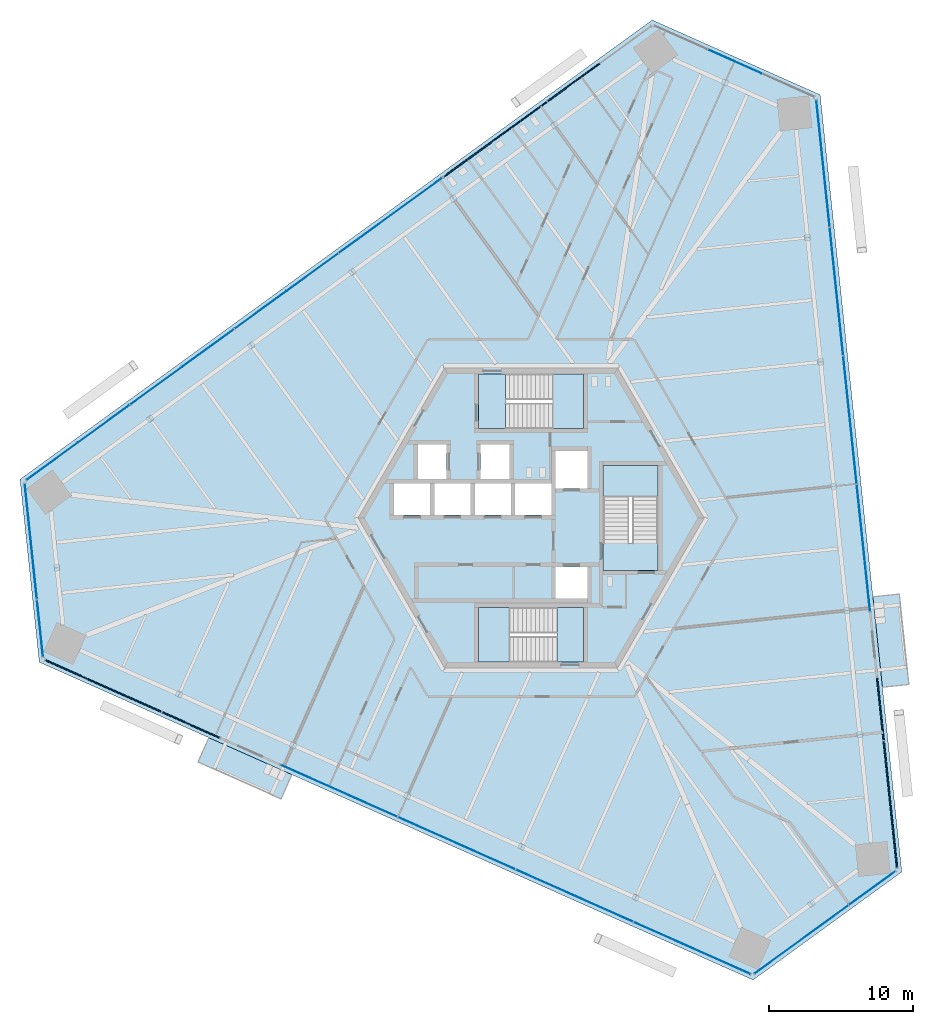
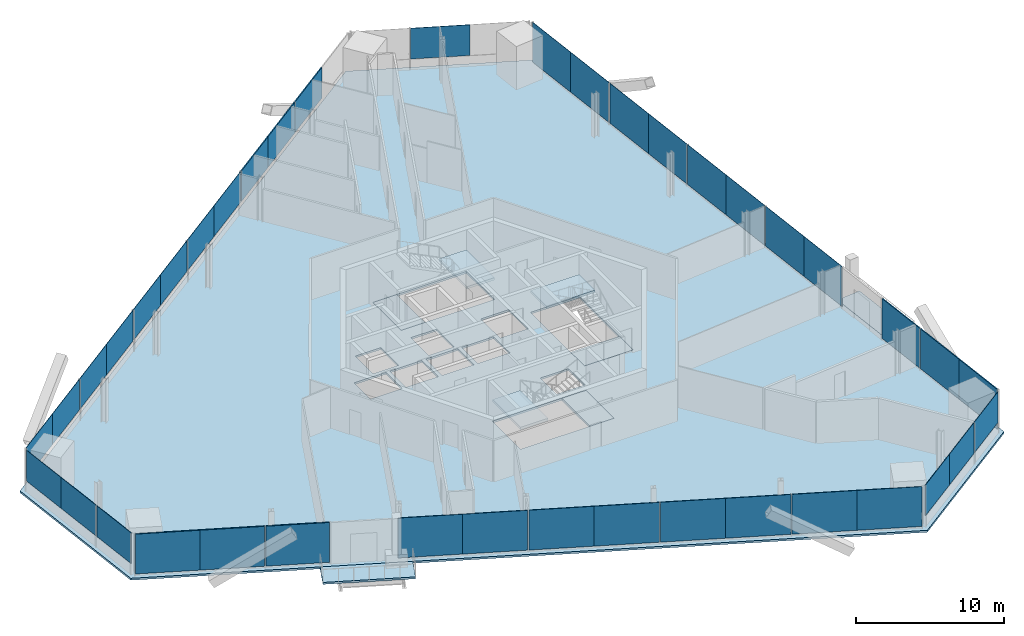
# One storey, part 9 of 17: 40 plates, 9 slabs, 12 elements without a shape of their own.
"""IFC4 building model written with IfcOpenShell, lengths in metres."""

from ifc_helpers import new_model, si_unit, direction, frame, origin, origin_2d, place, context, subcontext, project, spatial, polyline, rectangle, outline, extrude, source, transform, mapped, material, layer, layer_set, type_object, element, aggregate, save


model = new_model("IFC4")

# Units and contexts
model_context = context("Model", 3, precision=1e-05, world=origin(), true_north=direction((0.0, 1.0)))
body_context = subcontext(model_context, "Body", "Model", "MODEL_VIEW")
ifc_project = project(units=[si_unit("LENGTHUNIT", "METRE"), si_unit("AREAUNIT", "SQUARE_METRE"), si_unit("VOLUMEUNIT", "CUBIC_METRE"), si_unit("PLANEANGLEUNIT", "RADIAN"), si_unit("MASSUNIT", "GRAM", prefix="KILO")], contexts=[model_context])

# Site, building, storey
site_placement = place(None, origin())
site = spatial("IfcSite", under=ifc_project, at=site_placement, CompositionType="ELEMENT")
building_placement = place(site_placement, origin())
building = spatial("IfcBuilding", under=site, at=building_placement, Name="Triune Harvest Tower", CompositionType="ELEMENT")
storey_placement = place(building_placement, frame((0.0, 0.0, 62.10009765625)))
storey = spatial("IfcBuildingStorey", under=building, at=storey_placement, Name="L14", CompositionType="ELEMENT", Elevation=62.10009765625)

# Slabs
ifc_material_1 = material(Name="Concrete 40 MPa", Category="concrete")
ifc_layer_1 = layer(ifc_material_1, 0.159912109375)
ifc_layer_set_1 = layer_set([ifc_layer_1], Name="Concrete 40 MPa")
slab_type_1 = type_object("IfcSlabType", Name="BA-1 balcony slab 160", PredefinedType="FLOOR", material=ifc_layer_set_1)
slab_1_placement = place(storey_placement, frame((0.0, 0.0, -0.16015625)))
element("IfcSlab", 1, at=slab_1_placement, inside=storey, type_object=slab_type_1, Name="Balcony slab B2-F1 L14.4", PredefinedType="FLOOR", context=body_context, shape_type="SweptSolid", body=[
    extrude(outline(polyline([(24.357421875, -11.732177734375), (23.69873046875, -5.46484375), (25.533447265625, -5.272216796875), (26.192138671875, -11.539306640625), (24.357421875, -11.732177734375)])), origin(), (0.0, 0.0, 1.0), 0.16015625),
])
slab_2_placement = place(storey_placement, frame((0.0, 0.0, -0.16015625)))
element("IfcSlab", 2, at=slab_2_placement, inside=storey, type_object=slab_type_1, Name="Balcony slab B2-F5 L14.4", PredefinedType="FLOOR", context=body_context, shape_type="SweptSolid", body=[
    extrude(outline(polyline([(-22.339111328125, -15.228271484375), (-16.582275390625, -17.791259765625), (-17.33251953125, -19.4765625), (-23.08935546875, -16.913330078125), (-22.339111328125, -15.228271484375)])), origin(), (0.0, 0.0, 1.0), 0.16015625),
])
ifc_material_2 = material(Name="Concrete 40 MPa", Category="concrete")
ifc_layer_2 = layer(ifc_material_2, 0.159912109375)
ifc_layer_set_2 = layer_set([ifc_layer_2], Name="Concrete 40 MPa")
slab_type_2 = type_object("IfcSlabType", Name="SL-1 Composite floor slab 160", PredefinedType="FLOOR", material=ifc_layer_set_2)
shared_shape_1 = source(origin(), body_context, "Body", "SweptSolid", [
    extrude(outline(polyline([(25.703125, -24.534423828125), (20.04052734375, 29.34228515625), (8.395751953125, 34.526611328125), (-35.431396484375, 2.6845703125), (-34.098876953125, -9.992431640625), (15.390869140625, -32.026611328125), (25.703125, -24.534423828125)]), holes=[polyline([(-7.0, 0.2099609375), (-7.0, 2.409912109375), (-9.5, 2.409912109375), (-9.5, 0.2099609375), (-7.0, 0.2099609375)]), polyline([(-4.199951171875, 0.2099609375), (-4.199951171875, 2.409912109375), (-6.699951171875, 2.409912109375), (-6.699951171875, 0.2099609375), (-4.199951171875, 0.2099609375)]), polyline([(-1.39990234375, 0.2099609375), (-1.39990234375, 2.409912109375), (-3.89990234375, 2.409912109375), (-3.89990234375, 0.2099609375), (-1.39990234375, 0.2099609375)]), polyline([(1.39990234375, 0.2099609375), (1.39990234375, 2.409912109375), (-1.10009765625, 2.409912109375), (-1.10009765625, 0.2099609375), (1.39990234375, 0.2099609375)]), polyline([(3.89990234375, 2.06005859375), (3.89990234375, 4.659912109375), (1.699951171875, 4.659912109375), (1.699951171875, 2.06005859375), (3.89990234375, 2.06005859375)]), polyline([(3.89990234375, -5.590087890625), (3.89990234375, -3.389892578125), (1.699951171875, -3.389892578125), (1.699951171875, -5.590087890625), (3.89990234375, -5.590087890625)]), polyline([(-5.85009765625, 2.7099609375), (-5.85009765625, 5.110107421875), (-7.85009765625, 5.110107421875), (-7.85009765625, 2.7099609375), (-5.85009765625, 2.7099609375)]), polyline([(-1.5, 2.7099609375), (-1.5, 5.110107421875), (-3.5, 5.110107421875), (-3.5, 2.7099609375), (-1.5, 2.7099609375)]), polyline([(3.64990234375, 6.18994140625), (3.64990234375, 9.989990234375), (-3.64990234375, 9.989990234375), (-3.64990234375, 6.18994140625), (3.64990234375, 6.18994140625)]), polyline([(3.64990234375, -9.989990234375), (3.64990234375, -6.18994140625), (-3.64990234375, -6.18994140625), (-3.64990234375, -9.989990234375), (3.64990234375, -9.989990234375)]), polyline([(8.800048828125, -3.64990234375), (8.800048828125, 3.64990234375), (5.0, 3.64990234375), (5.0, -3.64990234375), (8.800048828125, -3.64990234375)])]), origin(), (0.0, 0.0, 1.0), 0.16015625),
])
slab_3_placement = place(storey_placement, frame((0.0, 0.0, -0.16015625)))
element("IfcSlab", 3, at=slab_3_placement, inside=storey, type_object=slab_type_2, Name="slab/L14/1", PredefinedType="FLOOR", context=body_context, shape_type="MappedRepresentation", body=[
    mapped(shared_shape_1, transform((0.0, 0.0, 0.0), scale=1.0)),
])

# Stair, slabs
ifc_material_3 = material(Name="Concrete 40 MPa", Category="concrete")
stair_type = type_object("IfcStairType", Name="Exit stair 1800 half turn", PredefinedType="HALF_TURN_STAIR", material=ifc_material_3)
stair_1_placement = place(storey_placement, origin())
stair_1 = element("IfcStair", 4, at=stair_1_placement, inside=storey, type_object=stair_type, Name="Exit stair north", PredefinedType="HALF_TURN_STAIR")
ifc_material_4 = material(Name="Concrete 40 MPa", Category="concrete")
ifc_layer_3 = layer(ifc_material_4, 0.199951171875)
ifc_layer_set_3 = layer_set([ifc_layer_3], Name="Concrete 40 MPa")
slab_type_3 = type_object("IfcSlabType", Name="Stair landing 200", PredefinedType="LANDING", material=ifc_layer_set_3)
shared_shape_2 = source(origin(), body_context, "Body", "SweptSolid", [
    extrude(outline(polyline([(1.510009765625, 6.18994140625), (3.64990234375, 6.18994140625), (3.64990234375, 9.989990234375), (1.510009765625, 9.989990234375), (1.510009765625, 6.18994140625)])), origin(), (0.0, 0.0, 1.0), 0.199951171875),
])
slab_4_placement = place(storey_placement, frame((0.0, 0.0, 1.599853515625)))
slab_4 = element("IfcSlab", 5, at=slab_4_placement, type_object=slab_type_3, Name="ST-1 landing 2", PredefinedType="LANDING", context=body_context, shape_type="MappedRepresentation", body=[
    mapped(shared_shape_2, transform((0.0, 0.0, 0.0), scale=1.0)),
])
shared_shape_3 = source(origin(), body_context, "Body", "SweptSolid", [
    extrude(outline(polyline([(-3.64990234375, 6.18994140625), (-1.780029296875, 6.18994140625), (-1.780029296875, 9.989990234375), (-3.64990234375, 9.989990234375), (-3.64990234375, 6.18994140625)])), origin(), (0.0, 0.0, 1.0), 0.2001953125),
])
slab_5_placement = place(storey_placement, frame((0.0, 0.0, -0.2001953125)))
slab_5 = element("IfcSlab", 6, at=slab_5_placement, type_object=slab_type_3, Name="ST-1 landing 1", PredefinedType="LANDING", context=body_context, shape_type="MappedRepresentation", body=[
    mapped(shared_shape_3, transform((0.0, 0.0, 0.0), scale=1.0)),
])
aggregate(stair_1, [slab_5, slab_4])

stair_2_placement = place(storey_placement, origin())
stair_2 = element("IfcStair", 7, at=stair_2_placement, inside=storey, type_object=stair_type, Name="Exit stair south", PredefinedType="HALF_TURN_STAIR")
shared_shape_4 = source(origin(), body_context, "Body", "SweptSolid", [
    extrude(outline(polyline([(-1.510009765625, -6.18994140625), (-3.64990234375, -6.18994140625), (-3.64990234375, -9.989990234375), (-1.510009765625, -9.989990234375), (-1.510009765625, -6.18994140625)])), origin(), (0.0, 0.0, 1.0), 0.199951171875),
])
slab_6_placement = place(storey_placement, frame((0.0, 0.0, 1.599853515625)))
slab_6 = element("IfcSlab", 8, at=slab_6_placement, type_object=slab_type_3, Name="ST-2 landing 2", PredefinedType="LANDING", context=body_context, shape_type="MappedRepresentation", body=[
    mapped(shared_shape_4, transform((0.0, 0.0, 0.0), scale=1.0)),
])
shared_shape_5 = source(origin(), body_context, "Body", "SweptSolid", [
    extrude(outline(polyline([(3.64990234375, -6.18994140625), (1.780029296875, -6.18994140625), (1.780029296875, -9.989990234375), (3.64990234375, -9.989990234375), (3.64990234375, -6.18994140625)])), origin(), (0.0, 0.0, 1.0), 0.2001953125),
])
slab_7_placement = place(storey_placement, frame((0.0, 0.0, -0.2001953125)))
slab_7 = element("IfcSlab", 9, at=slab_7_placement, type_object=slab_type_3, Name="ST-2 landing 1", PredefinedType="LANDING", context=body_context, shape_type="MappedRepresentation", body=[
    mapped(shared_shape_5, transform((0.0, 0.0, 0.0), scale=1.0)),
])
aggregate(stair_2, [slab_7, slab_6])

stair_3_placement = place(storey_placement, origin())
stair_3 = element("IfcStair", 10, at=stair_3_placement, inside=storey, type_object=stair_type, Name="Exit stair east", PredefinedType="HALF_TURN_STAIR")
shared_shape_6 = source(origin(), body_context, "Body", "SweptSolid", [
    extrude(outline(polyline([(8.800048828125, 1.510009765625), (8.800048828125, 3.64990234375), (5.0, 3.64990234375), (5.0, 1.510009765625), (8.800048828125, 1.510009765625)])), origin(), (0.0, 0.0, 1.0), 0.199951171875),
])
slab_8_placement = place(storey_placement, frame((0.0, 0.0, 1.599853515625)))
slab_8 = element("IfcSlab", 11, at=slab_8_placement, type_object=slab_type_3, Name="ST-3 landing 2", PredefinedType="LANDING", context=body_context, shape_type="MappedRepresentation", body=[
    mapped(shared_shape_6, transform((0.0, 0.0, 0.0), scale=1.0)),
])
shared_shape_7 = source(origin(), body_context, "Body", "SweptSolid", [
    extrude(outline(polyline([(8.800048828125, -3.64990234375), (8.800048828125, -1.780029296875), (5.0, -1.780029296875), (5.0, -3.64990234375), (8.800048828125, -3.64990234375)])), origin(), (0.0, 0.0, 1.0), 0.2001953125),
])
slab_9_placement = place(storey_placement, frame((0.0, 0.0, -0.2001953125)))
slab_9 = element("IfcSlab", 12, at=slab_9_placement, type_object=slab_type_3, Name="ST-3 landing 1", PredefinedType="LANDING", context=body_context, shape_type="MappedRepresentation", body=[
    mapped(shared_shape_7, transform((0.0, 0.0, 0.0), scale=1.0)),
])
aggregate(stair_3, [slab_9, slab_8])

# Curtain wall, plate
ifc_material_5 = material(Name="Aluminium bronze anodised", Category="aluminium")
curtain_wall_type_1 = type_object("IfcCurtainWallType", Name="CW-1 Tower stick curtain wall", PredefinedType="NOTDEFINED", material=ifc_material_5)
curtain_wall_1_placement = place(storey_placement, origin())
curtain_wall_1 = element("IfcCurtainWall", 13, at=curtain_wall_1_placement, inside=storey, type_object=curtain_wall_type_1, Name="CW-1 B2-F4 L14 run 1")
ifc_material_6 = material(Name="Glass", Category="glass")
ifc_layer_4 = layer(ifc_material_6, 0.031982421875)
ifc_layer_set_4 = layer_set([ifc_layer_4], Name="Glass")
plate_type_1 = type_object("IfcPlateType", Name="GL-1 panel 32", PredefinedType="CURTAIN_PANEL", material=ifc_layer_set_4)
shared_shape_8 = source(origin(), body_context, "Body", "SweptSolid", [
    extrude(rectangle(XDim=3.99853515625, YDim=0.031982421875, at=origin_2d()), origin(), (0.0, 0.0, 1.0), 2.5400390625),
])
plate_1_placement = place(storey_placement, frame((-34.888671875, 0.39111328125, 0.89990234375), z_axis=(0.0, 0.0, 1.0), x_axis=(0.104529462601, -0.994521790334, 0.0)))
plate_1 = element("IfcPlate", 14, at=plate_1_placement, type_object=plate_type_1, Name="CW-1 panel B2-F4 1.1", PredefinedType="CURTAIN_PANEL", context=body_context, shape_type="MappedRepresentation", body=[
    mapped(shared_shape_8, transform((0.0, 0.0, 0.0), scale=1.0)),
])

curtain_wall_2_placement = place(storey_placement, origin())
curtain_wall_2 = element("IfcCurtainWall", 15, at=curtain_wall_2_placement, inside=storey, type_object=curtain_wall_type_1, Name="CW-1 B2-F2 L14 run 1")
shared_shape_9 = source(origin(), body_context, "Body", "SweptSolid", [
    extrude(rectangle(XDim=4.035888671875, YDim=0.031982421875, at=origin_2d()), origin(), (0.0, 0.0, 1.0), 2.5400390625),
])
plate_2_placement = place(storey_placement, frame((14.11328125, 31.65283203125, 0.89990234375), z_axis=(0.0, 0.0, 1.0), x_axis=(-0.913546644034, 0.406733978386, 0.0)))
plate_2 = element("IfcPlate", 16, at=plate_2_placement, type_object=plate_type_1, Name="CW-1 panel B2-F2 1.2", PredefinedType="CURTAIN_PANEL", context=body_context, shape_type="MappedRepresentation", body=[
    mapped(shared_shape_9, transform((0.0, 0.0, 0.0), scale=1.0)),
])
aggregate(curtain_wall_2, [plate_2])

# Plate
plate_3_placement = place(storey_placement, frame((-34.46875, -3.60400390625, 0.89990234375), z_axis=(0.0, 0.0, 1.0), x_axis=(0.104529462601, -0.994521790334, 0.0)))
plate_3 = element("IfcPlate", 17, at=plate_3_placement, type_object=plate_type_1, Name="CW-1 panel B2-F4 1.2", PredefinedType="CURTAIN_PANEL", context=body_context, shape_type="MappedRepresentation", body=[
    mapped(shared_shape_9, transform((0.0, 0.0, 0.0), scale=1.0)),
])

# Curtain wall, plate
curtain_wall_3_placement = place(storey_placement, origin())
curtain_wall_3 = element("IfcCurtainWall", 18, at=curtain_wall_3_placement, inside=storey, type_object=curtain_wall_type_1, Name="CW-1 B2-F6 L14 run 1")
plate_4_placement = place(storey_placement, frame((20.35546875, -28.048828125, 0.89990234375), z_axis=(0.0, 0.0, 1.0), x_axis=(0.809013235692, 0.58779042564, 0.0)))
plate_4 = element("IfcPlate", 19, at=plate_4_placement, type_object=plate_type_1, Name="CW-1 panel B2-F6 1.2", PredefinedType="CURTAIN_PANEL", context=body_context, shape_type="MappedRepresentation", body=[
    mapped(shared_shape_9, transform((0.0, 0.0, 0.0), scale=1.0)),
])

# Plate
shared_shape_10 = source(origin(), body_context, "Body", "SweptSolid", [
    extrude(rectangle(XDim=3.9609375, YDim=0.031982421875, at=origin_2d()), origin(), (0.0, 0.0, 1.0), 2.5400390625),
])
plate_5_placement = place(storey_placement, frame((-34.04296875, -7.655029296875, 0.89990234375), z_axis=(0.0, 0.0, 1.0), x_axis=(0.104529462601, -0.994521790334, 0.0)))
plate_5 = element("IfcPlate", 20, at=plate_5_placement, type_object=plate_type_1, Name="CW-1 panel B2-F4 1.3", PredefinedType="CURTAIN_PANEL", context=body_context, shape_type="MappedRepresentation", body=[
    mapped(shared_shape_10, transform((0.0, 0.0, 0.0), scale=1.0)),
])

aggregate(curtain_wall_1, [plate_1, plate_3, plate_5])

plate_6_placement = place(storey_placement, frame((23.65087890625, -25.654541015625, 0.89990234375), z_axis=(0.0, 0.0, 1.0), x_axis=(0.809013235692, 0.58779042564, 0.0)))
plate_6 = element("IfcPlate", 21, at=plate_6_placement, type_object=plate_type_1, Name="CW-1 panel B2-F6 1.3", PredefinedType="CURTAIN_PANEL", context=body_context, shape_type="MappedRepresentation", body=[
    mapped(shared_shape_10, transform((0.0, 0.0, 0.0), scale=1.0)),
])

shared_shape_11 = source(origin(), body_context, "Body", "SweptSolid", [
    extrude(rectangle(XDim=3.998291015625, YDim=0.031982421875, at=origin_2d()), origin(), (0.0, 0.0, 1.0), 2.5400390625),
])
plate_7_placement = place(storey_placement, frame((17.10546875, -30.41015625, 0.89990234375), z_axis=(0.0, 0.0, 1.0), x_axis=(0.809013235692, 0.58779042564, 0.0)))
plate_7 = element("IfcPlate", 22, at=plate_7_placement, type_object=plate_type_1, Name="CW-1 panel B2-F6 1.1", PredefinedType="CURTAIN_PANEL", context=body_context, shape_type="MappedRepresentation", body=[
    mapped(shared_shape_11, transform((0.0, 0.0, 0.0), scale=1.0)),
])

aggregate(curtain_wall_3, [plate_7, plate_4, plate_6])

# Curtain wall, plate
ifc_material_7 = material(Name="Aluminium bronze anodised", Category="aluminium")
curtain_wall_type_2 = type_object("IfcCurtainWallType", Name="CW-10 Balcony window wall with insulated spandrel infill", PredefinedType="NOTDEFINED", material=ifc_material_7)
curtain_wall_4_placement = place(storey_placement, origin())
curtain_wall_4 = element("IfcCurtainWall", 23, at=curtain_wall_4_placement, inside=storey, type_object=curtain_wall_type_2, Name="CW-10 B2-F1 L14 run 1")
ifc_material_8 = material(Name="Insulated spandrel panel, bronze aluminium pan", Category="aluminium")
ifc_layer_5 = layer(ifc_material_8, 0.080078125)
ifc_layer_set_5 = layer_set([ifc_layer_5], Name="Insulated spandrel panel, bronze aluminium pan")
plate_type_2 = type_object("IfcPlateType", Name="SP-1 insulated spandrel panel 80", PredefinedType="CURTAIN_PANEL", material=ifc_layer_set_5)
shared_shape_12 = source(origin(), body_context, "Body", "SweptSolid", [
    extrude(rectangle(XDim=4.380615234375, YDim=0.080078125, at=origin_2d()), origin(), (0.0, 0.0, 1.0), 3.2900390625),
])
plate_8_placement = place(storey_placement, frame((25.140380859375, -22.051025390625, 0.14990234375), z_axis=(0.0, 0.0, 1.0), x_axis=(-0.104527536558, 0.994521992769, 0.0)))
plate_8 = element("IfcPlate", 24, at=plate_8_placement, type_object=plate_type_2, Name="CW-10 panel B2-F1 1.1", PredefinedType="CURTAIN_PANEL", context=body_context, shape_type="MappedRepresentation", body=[
    mapped(shared_shape_12, transform((0.0, 0.0, 0.0), scale=1.0)),
])

curtain_wall_5_placement = place(storey_placement, origin())
curtain_wall_5 = element("IfcCurtainWall", 25, at=curtain_wall_5_placement, inside=storey, type_object=curtain_wall_type_2, Name="CW-10 B2-F5 L14 run 1")
plate_9_placement = place(storey_placement, frame((-31.6669921875, -10.746826171875, 0.14990234375), z_axis=(0.0, 0.0, 1.0), x_axis=(0.913545207137, -0.406737205721, 0.0)))
plate_9 = element("IfcPlate", 26, at=plate_9_placement, type_object=plate_type_2, Name="CW-10 panel B2-F5 1.1", PredefinedType="CURTAIN_PANEL", context=body_context, shape_type="MappedRepresentation", body=[
    mapped(shared_shape_12, transform((0.0, 0.0, 0.0), scale=1.0)),
])

# Plate
shared_shape_13 = source(origin(), body_context, "Body", "SweptSolid", [
    extrude(rectangle(XDim=4.41796875, YDim=0.080078125, at=origin_2d()), origin(), (0.0, 0.0, 1.0), 3.2900390625),
])
plate_10_placement = place(storey_placement, frame((24.6806640625, -17.67578125, 0.14990234375), z_axis=(0.0, 0.0, 1.0), x_axis=(-0.104527536558, 0.994521992769, 0.0)))
plate_10 = element("IfcPlate", 27, at=plate_10_placement, type_object=plate_type_2, Name="CW-10 panel B2-F1 1.2", PredefinedType="CURTAIN_PANEL", context=body_context, shape_type="MappedRepresentation", body=[
    mapped(shared_shape_13, transform((0.0, 0.0, 0.0), scale=1.0)),
])

plate_11_placement = place(storey_placement, frame((-27.64794921875, -12.5361328125, 0.14990234375), z_axis=(0.0, 0.0, 1.0), x_axis=(0.913545207137, -0.406737205721, 0.0)))
plate_11 = element("IfcPlate", 28, at=plate_11_placement, type_object=plate_type_2, Name="CW-10 panel B2-F5 1.2", PredefinedType="CURTAIN_PANEL", context=body_context, shape_type="MappedRepresentation", body=[
    mapped(shared_shape_13, transform((0.0, 0.0, 0.0), scale=1.0)),
])

shared_shape_14 = source(origin(), body_context, "Body", "SweptSolid", [
    extrude(rectangle(XDim=4.343017578125, YDim=0.080078125, at=origin_2d()), origin(), (0.0, 0.0, 1.0), 3.2900390625),
])
plate_12_placement = place(storey_placement, frame((24.21484375, -13.24462890625, 0.14990234375), z_axis=(0.0, 0.0, 1.0), x_axis=(-0.104527536558, 0.994521992769, 0.0)))
plate_12 = element("IfcPlate", 29, at=plate_12_placement, type_object=plate_type_2, Name="CW-10 panel B2-F1 1.3", PredefinedType="CURTAIN_PANEL", context=body_context, shape_type="MappedRepresentation", body=[
    mapped(shared_shape_14, transform((0.0, 0.0, 0.0), scale=1.0)),
])

aggregate(curtain_wall_4, [plate_8, plate_10, plate_12])

plate_13_placement = place(storey_placement, frame((-23.57763671875, -14.348388671875, 0.14990234375), z_axis=(0.0, 0.0, 1.0), x_axis=(0.913545207137, -0.406737205721, 0.0)))
plate_13 = element("IfcPlate", 30, at=plate_13_placement, type_object=plate_type_2, Name="CW-10 panel B2-F5 1.3", PredefinedType="CURTAIN_PANEL", context=body_context, shape_type="MappedRepresentation", body=[
    mapped(shared_shape_14, transform((0.0, 0.0, 0.0), scale=1.0)),
])

aggregate(curtain_wall_5, [plate_9, plate_11, plate_13])

# Curtain wall, plates
ifc_material_9 = material(Name="Aluminium bronze anodised", Category="aluminium")
curtain_wall_type_3 = type_object("IfcCurtainWallType", Name="CW-6 Balcony window wall", PredefinedType="NOTDEFINED", material=ifc_material_9)
curtain_wall_6_placement = place(storey_placement, origin())
curtain_wall_6 = element("IfcCurtainWall", 31, at=curtain_wall_6_placement, inside=storey, type_object=curtain_wall_type_3, Name="CW-6 B2-F1 L14 run 2")
ifc_material_10 = material(Name="Glass", Category="glass")
ifc_layer_6 = layer(ifc_material_10, 0.030029296875)
ifc_layer_set_6 = layer_set([ifc_layer_6], Name="Glass")
plate_type_3 = type_object("IfcPlateType", Name="GL-6 panel 30", PredefinedType="CURTAIN_PANEL", material=ifc_layer_set_6)
shared_shape_15 = source(origin(), body_context, "Body", "SweptSolid", [
    extrude(rectangle(XDim=4.3994140625, YDim=0.030029296875, at=origin_2d()), origin(), (0.0, 0.0, 1.0), 3.2900390625),
])
plate_14_placement = place(storey_placement, frame((23.2734375, -4.287353515625, 0.14990234375), z_axis=(0.0, 0.0, 1.0), x_axis=(-0.104527536558, 0.994521992769, 0.0)))
plate_14 = element("IfcPlate", 32, at=plate_14_placement, type_object=plate_type_3, Name="CW-6 panel B2-F1 2.1", PredefinedType="CURTAIN_PANEL", context=body_context, shape_type="MappedRepresentation", body=[
    mapped(shared_shape_15, transform((0.0, 0.0, 0.0), scale=1.0)),
])
plate_15_placement = place(storey_placement, frame((20.00732421875, 26.786865234375, 0.14990234375), z_axis=(0.0, 0.0, 1.0), x_axis=(-0.104527536558, 0.994521992769, 0.0)))
plate_15 = element("IfcPlate", 33, at=plate_15_placement, type_object=plate_type_3, Name="CW-6 panel B2-F1 2.8", PredefinedType="CURTAIN_PANEL", context=body_context, shape_type="MappedRepresentation", body=[
    mapped(shared_shape_15, transform((0.0, 0.0, 0.0), scale=1.0)),
])

curtain_wall_7_placement = place(storey_placement, origin())
curtain_wall_7 = element("IfcCurtainWall", 34, at=curtain_wall_7_placement, inside=storey, type_object=curtain_wall_type_3, Name="CW-6 B2-F5 L14 run 2")
plate_16_placement = place(storey_placement, frame((-15.349609375, -18.01171875, 0.14990234375), z_axis=(0.0, 0.0, 1.0), x_axis=(0.913545207137, -0.406737205721, 0.0)))
plate_16 = element("IfcPlate", 35, at=plate_16_placement, type_object=plate_type_3, Name="CW-6 panel B2-F5 2.1", PredefinedType="CURTAIN_PANEL", context=body_context, shape_type="MappedRepresentation", body=[
    mapped(shared_shape_15, transform((0.0, 0.0, 0.0), scale=1.0)),
])
plate_17_placement = place(storey_placement, frame((13.194580078125, -30.720458984375, 0.14990234375), z_axis=(0.0, 0.0, 1.0), x_axis=(0.913545207137, -0.406737205721, 0.0)))
plate_17 = element("IfcPlate", 36, at=plate_17_placement, type_object=plate_type_3, Name="CW-6 panel B2-F5 2.8", PredefinedType="CURTAIN_PANEL", context=body_context, shape_type="MappedRepresentation", body=[
    mapped(shared_shape_15, transform((0.0, 0.0, 0.0), scale=1.0)),
])

# Plate
shared_shape_16 = source(origin(), body_context, "Body", "SweptSolid", [
    extrude(rectangle(XDim=4.436767578125, YDim=0.030029296875, at=origin_2d()), origin(), (0.0, 0.0, 1.0), 3.2900390625),
])
plate_18_placement = place(storey_placement, frame((22.8115234375, 0.106689453125, 0.14990234375), z_axis=(0.0, 0.0, 1.0), x_axis=(-0.104527536558, 0.994521992769, 0.0)))
plate_18 = element("IfcPlate", 37, at=plate_18_placement, type_object=plate_type_3, Name="CW-6 panel B2-F1 2.2", PredefinedType="CURTAIN_PANEL", context=body_context, shape_type="MappedRepresentation", body=[
    mapped(shared_shape_16, transform((0.0, 0.0, 0.0), scale=1.0)),
])

plate_19_placement = place(storey_placement, frame((22.33984375, 4.59375, 0.14990234375), z_axis=(0.0, 0.0, 1.0), x_axis=(-0.104527536558, 0.994521992769, 0.0)))
plate_19 = element("IfcPlate", 38, at=plate_19_placement, type_object=plate_type_3, Name="CW-6 panel B2-F1 2.3", PredefinedType="CURTAIN_PANEL", context=body_context, shape_type="MappedRepresentation", body=[
    mapped(shared_shape_16, transform((0.0, 0.0, 0.0), scale=1.0)),
])

plate_20_placement = place(storey_placement, frame((21.876220703125, 9.00634765625, 0.14990234375), z_axis=(0.0, 0.0, 1.0), x_axis=(-0.104527536558, 0.994521992769, 0.0)))
plate_20 = element("IfcPlate", 39, at=plate_20_placement, type_object=plate_type_3, Name="CW-6 panel B2-F1 2.4", PredefinedType="CURTAIN_PANEL", context=body_context, shape_type="MappedRepresentation", body=[
    mapped(shared_shape_16, transform((0.0, 0.0, 0.0), scale=1.0)),
])

plate_21_placement = place(storey_placement, frame((21.404541015625, 13.493408203125, 0.14990234375), z_axis=(0.0, 0.0, 1.0), x_axis=(-0.104527536558, 0.994521992769, 0.0)))
plate_21 = element("IfcPlate", 40, at=plate_21_placement, type_object=plate_type_3, Name="CW-6 panel B2-F1 2.5", PredefinedType="CURTAIN_PANEL", context=body_context, shape_type="MappedRepresentation", body=[
    mapped(shared_shape_16, transform((0.0, 0.0, 0.0), scale=1.0)),
])

plate_22_placement = place(storey_placement, frame((20.940673828125, 17.906005859375, 0.14990234375), z_axis=(0.0, 0.0, 1.0), x_axis=(-0.104527536558, 0.994521992769, 0.0)))
plate_22 = element("IfcPlate", 41, at=plate_22_placement, type_object=plate_type_3, Name="CW-6 panel B2-F1 2.6", PredefinedType="CURTAIN_PANEL", context=body_context, shape_type="MappedRepresentation", body=[
    mapped(shared_shape_16, transform((0.0, 0.0, 0.0), scale=1.0)),
])

plate_23_placement = place(storey_placement, frame((20.46923828125, 22.39306640625, 0.14990234375), z_axis=(0.0, 0.0, 1.0), x_axis=(-0.104527536558, 0.994521992769, 0.0)))
plate_23 = element("IfcPlate", 42, at=plate_23_placement, type_object=plate_type_3, Name="CW-6 panel B2-F1 2.7", PredefinedType="CURTAIN_PANEL", context=body_context, shape_type="MappedRepresentation", body=[
    mapped(shared_shape_16, transform((0.0, 0.0, 0.0), scale=1.0)),
])

aggregate(curtain_wall_6, [plate_14, plate_18, plate_19, plate_20, plate_21, plate_22, plate_23, plate_15])

plate_24_placement = place(storey_placement, frame((-11.3134765625, -19.808837890625, 0.14990234375), z_axis=(0.0, 0.0, 1.0), x_axis=(0.913545207137, -0.406737205721, 0.0)))
plate_24 = element("IfcPlate", 43, at=plate_24_placement, type_object=plate_type_3, Name="CW-6 panel B2-F5 2.2", PredefinedType="CURTAIN_PANEL", context=body_context, shape_type="MappedRepresentation", body=[
    mapped(shared_shape_16, transform((0.0, 0.0, 0.0), scale=1.0)),
])

plate_25_placement = place(storey_placement, frame((-7.191650390625, -21.643798828125, 0.14990234375), z_axis=(0.0, 0.0, 1.0), x_axis=(0.913545207137, -0.406737205721, 0.0)))
plate_25 = element("IfcPlate", 44, at=plate_25_placement, type_object=plate_type_3, Name="CW-6 panel B2-F5 2.3", PredefinedType="CURTAIN_PANEL", context=body_context, shape_type="MappedRepresentation", body=[
    mapped(shared_shape_16, transform((0.0, 0.0, 0.0), scale=1.0)),
])

plate_26_placement = place(storey_placement, frame((-3.138427734375, -23.448486328125, 0.14990234375), z_axis=(0.0, 0.0, 1.0), x_axis=(0.913545207137, -0.406737205721, 0.0)))
plate_26 = element("IfcPlate", 45, at=plate_26_placement, type_object=plate_type_3, Name="CW-6 panel B2-F5 2.4", PredefinedType="CURTAIN_PANEL", context=body_context, shape_type="MappedRepresentation", body=[
    mapped(shared_shape_16, transform((0.0, 0.0, 0.0), scale=1.0)),
])

plate_27_placement = place(storey_placement, frame((0.9833984375, -25.28369140625, 0.14990234375), z_axis=(0.0, 0.0, 1.0), x_axis=(0.913545207137, -0.406737205721, 0.0)))
plate_27 = element("IfcPlate", 46, at=plate_27_placement, type_object=plate_type_3, Name="CW-6 panel B2-F5 2.5", PredefinedType="CURTAIN_PANEL", context=body_context, shape_type="MappedRepresentation", body=[
    mapped(shared_shape_16, transform((0.0, 0.0, 0.0), scale=1.0)),
])

plate_28_placement = place(storey_placement, frame((5.03662109375, -27.08837890625, 0.14990234375), z_axis=(0.0, 0.0, 1.0), x_axis=(0.913545207137, -0.406737205721, 0.0)))
plate_28 = element("IfcPlate", 47, at=plate_28_placement, type_object=plate_type_3, Name="CW-6 panel B2-F5 2.6", PredefinedType="CURTAIN_PANEL", context=body_context, shape_type="MappedRepresentation", body=[
    mapped(shared_shape_16, transform((0.0, 0.0, 0.0), scale=1.0)),
])

plate_29_placement = place(storey_placement, frame((9.158447265625, -28.92333984375, 0.14990234375), z_axis=(0.0, 0.0, 1.0), x_axis=(0.913545207137, -0.406737205721, 0.0)))
plate_29 = element("IfcPlate", 48, at=plate_29_placement, type_object=plate_type_3, Name="CW-6 panel B2-F5 2.7", PredefinedType="CURTAIN_PANEL", context=body_context, shape_type="MappedRepresentation", body=[
    mapped(shared_shape_16, transform((0.0, 0.0, 0.0), scale=1.0)),
])

aggregate(curtain_wall_7, [plate_16, plate_24, plate_25, plate_26, plate_27, plate_28, plate_29, plate_17])

# Curtain wall, plates
ifc_material_11 = material(Name="Aluminium bronze anodised", Category="aluminium")
curtain_wall_type_4 = type_object("IfcCurtainWallType", Name="CW-7 Tower stick curtain wall with insulated spandrel infill", PredefinedType="NOTDEFINED", material=ifc_material_11)
curtain_wall_8_placement = place(storey_placement, origin())
curtain_wall_8 = element("IfcCurtainWall", 49, at=curtain_wall_8_placement, inside=storey, type_object=curtain_wall_type_4, Name="CW-7 B2-F3 L14 run 1")
shared_shape_17 = source(origin(), body_context, "Body", "SweptSolid", [
    extrude(rectangle(XDim=4.3955078125, YDim=0.080078125, at=origin_2d()), origin(), (0.0, 0.0, 1.0), 2.5400390625),
])
plate_30_placement = place(storey_placement, frame((-4.269287109375, 24.954345703125, 0.89990234375), z_axis=(0.0, 0.0, 1.0), x_axis=(-0.809018475536, -0.587783213644, 0.0)))
plate_30 = element("IfcPlate", 50, at=plate_30_placement, type_object=plate_type_2, Name="CW-7 panel B2-F3 1.4", PredefinedType="CURTAIN_PANEL", context=body_context, shape_type="MappedRepresentation", body=[
    mapped(shared_shape_17, transform((0.0, 0.0, 0.0), scale=1.0)),
])
shared_shape_18 = source(origin(), body_context, "Body", "SweptSolid", [
    extrude(rectangle(XDim=4.43310546875, YDim=0.080078125, at=origin_2d()), origin(), (0.0, 0.0, 1.0), 2.5400390625),
])
plate_31_placement = place(storey_placement, frame((2.94921875, 30.19873046875, 0.89990234375), z_axis=(0.0, 0.0, 1.0), x_axis=(-0.809018475536, -0.587783213644, 0.0)))
plate_31 = element("IfcPlate", 51, at=plate_31_placement, type_object=plate_type_2, Name="CW-7 panel B2-F3 1.2", PredefinedType="CURTAIN_PANEL", context=body_context, shape_type="MappedRepresentation", body=[
    mapped(shared_shape_18, transform((0.0, 0.0, 0.0), scale=1.0)),
])
plate_32_placement = place(storey_placement, frame((-0.697998046875, 27.549072265625, 0.89990234375), z_axis=(0.0, 0.0, 1.0), x_axis=(-0.809018475536, -0.587783213644, 0.0)))
plate_32 = element("IfcPlate", 52, at=plate_32_placement, type_object=plate_type_2, Name="CW-7 panel B2-F3 1.3", PredefinedType="CURTAIN_PANEL", context=body_context, shape_type="MappedRepresentation", body=[
    mapped(shared_shape_18, transform((0.0, 0.0, 0.0), scale=1.0)),
])
aggregate(curtain_wall_8, [plate_31, plate_32, plate_30])

curtain_wall_9_placement = place(storey_placement, origin())
curtain_wall_9 = element("IfcCurtainWall", 53, at=curtain_wall_9_placement, inside=storey, type_object=curtain_wall_type_1, Name="CW-1 B2-F3 L14 run 1001")
shared_shape_19 = source(origin(), body_context, "Body", "SweptSolid", [
    extrude(rectangle(XDim=4.3955078125, YDim=0.031982421875, at=origin_2d()), origin(), (0.0, 0.0, 1.0), 2.5400390625),
])
plate_33_placement = place(storey_placement, frame((-7.946533203125, 22.282470703125, 0.89990234375), z_axis=(0.0, 0.0, 1.0), x_axis=(-0.809016282394, -0.587786232249, 0.0)))
plate_33 = element("IfcPlate", 54, at=plate_33_placement, type_object=plate_type_1, Name="CW-1 panel B2-F3 1001.1", PredefinedType="CURTAIN_PANEL", context=body_context, shape_type="MappedRepresentation", body=[
    mapped(shared_shape_19, transform((0.0, 0.0, 0.0), scale=1.0)),
])
plate_34_placement = place(storey_placement, frame((-33.203369140625, 3.932373046875, 0.89990234375), z_axis=(0.0, 0.0, 1.0), x_axis=(-0.809016282394, -0.587786232249, 0.0)))
plate_34 = element("IfcPlate", 55, at=plate_34_placement, type_object=plate_type_1, Name="CW-1 panel B2-F3 1001.8", PredefinedType="CURTAIN_PANEL", context=body_context, shape_type="MappedRepresentation", body=[
    mapped(shared_shape_19, transform((0.0, 0.0, 0.0), scale=1.0)),
])
shared_shape_20 = source(origin(), body_context, "Body", "SweptSolid", [
    extrude(rectangle(XDim=4.43310546875, YDim=0.031982421875, at=origin_2d()), origin(), (0.0, 0.0, 1.0), 2.5400390625),
])
plate_35_placement = place(storey_placement, frame((-11.517822265625, 19.687744140625, 0.89990234375), z_axis=(0.0, 0.0, 1.0), x_axis=(-0.809016282394, -0.587786232249, 0.0)))
plate_35 = element("IfcPlate", 56, at=plate_35_placement, type_object=plate_type_1, Name="CW-1 panel B2-F3 1001.2", PredefinedType="CURTAIN_PANEL", context=body_context, shape_type="MappedRepresentation", body=[
    mapped(shared_shape_20, transform((0.0, 0.0, 0.0), scale=1.0)),
])
plate_36_placement = place(storey_placement, frame((-15.1650390625, 17.0380859375, 0.89990234375), z_axis=(0.0, 0.0, 1.0), x_axis=(-0.809016282394, -0.587786232249, 0.0)))
plate_36 = element("IfcPlate", 57, at=plate_36_placement, type_object=plate_type_1, Name="CW-1 panel B2-F3 1001.3", PredefinedType="CURTAIN_PANEL", context=body_context, shape_type="MappedRepresentation", body=[
    mapped(shared_shape_20, transform((0.0, 0.0, 0.0), scale=1.0)),
])
plate_37_placement = place(storey_placement, frame((-18.75146484375, 14.432373046875, 0.89990234375), z_axis=(0.0, 0.0, 1.0), x_axis=(-0.809016282394, -0.587786232249, 0.0)))
plate_37 = element("IfcPlate", 58, at=plate_37_placement, type_object=plate_type_1, Name="CW-1 panel B2-F3 1001.4", PredefinedType="CURTAIN_PANEL", context=body_context, shape_type="MappedRepresentation", body=[
    mapped(shared_shape_20, transform((0.0, 0.0, 0.0), scale=1.0)),
])
plate_38_placement = place(storey_placement, frame((-22.3984375, 11.782470703125, 0.89990234375), z_axis=(0.0, 0.0, 1.0), x_axis=(-0.809016282394, -0.587786232249, 0.0)))
plate_38 = element("IfcPlate", 59, at=plate_38_placement, type_object=plate_type_1, Name="CW-1 panel B2-F3 1001.5", PredefinedType="CURTAIN_PANEL", context=body_context, shape_type="MappedRepresentation", body=[
    mapped(shared_shape_20, transform((0.0, 0.0, 0.0), scale=1.0)),
])
plate_39_placement = place(storey_placement, frame((-25.98486328125, 9.1767578125, 0.89990234375), z_axis=(0.0, 0.0, 1.0), x_axis=(-0.809016282394, -0.587786232249, 0.0)))
plate_39 = element("IfcPlate", 60, at=plate_39_placement, type_object=plate_type_1, Name="CW-1 panel B2-F3 1001.6", PredefinedType="CURTAIN_PANEL", context=body_context, shape_type="MappedRepresentation", body=[
    mapped(shared_shape_20, transform((0.0, 0.0, 0.0), scale=1.0)),
])
plate_40_placement = place(storey_placement, frame((-29.632080078125, 6.527099609375, 0.89990234375), z_axis=(0.0, 0.0, 1.0), x_axis=(-0.809016282394, -0.587786232249, 0.0)))
plate_40 = element("IfcPlate", 61, at=plate_40_placement, type_object=plate_type_1, Name="CW-1 panel B2-F3 1001.7", PredefinedType="CURTAIN_PANEL", context=body_context, shape_type="MappedRepresentation", body=[
    mapped(shared_shape_20, transform((0.0, 0.0, 0.0), scale=1.0)),
])
aggregate(curtain_wall_9, [plate_33, plate_35, plate_36, plate_37, plate_38, plate_39, plate_40, plate_34])

save(model, "model.ifc")
